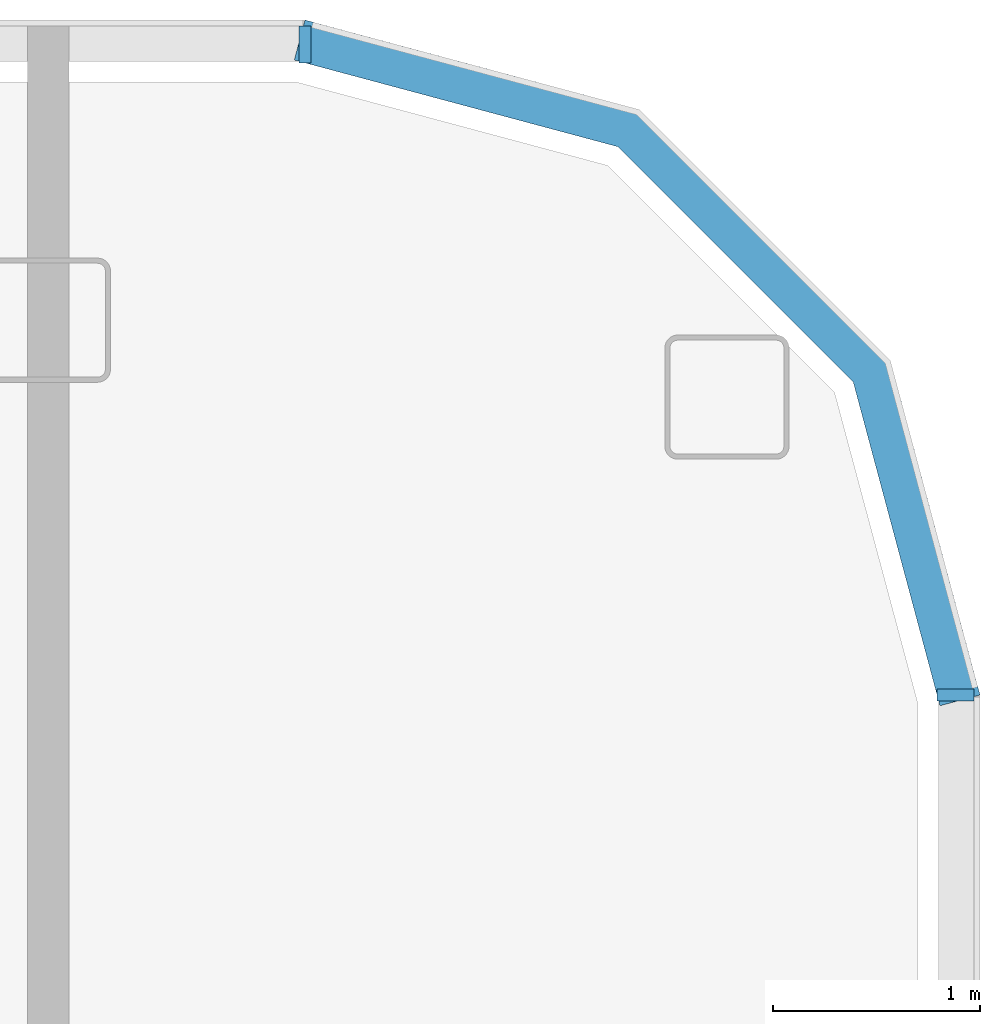
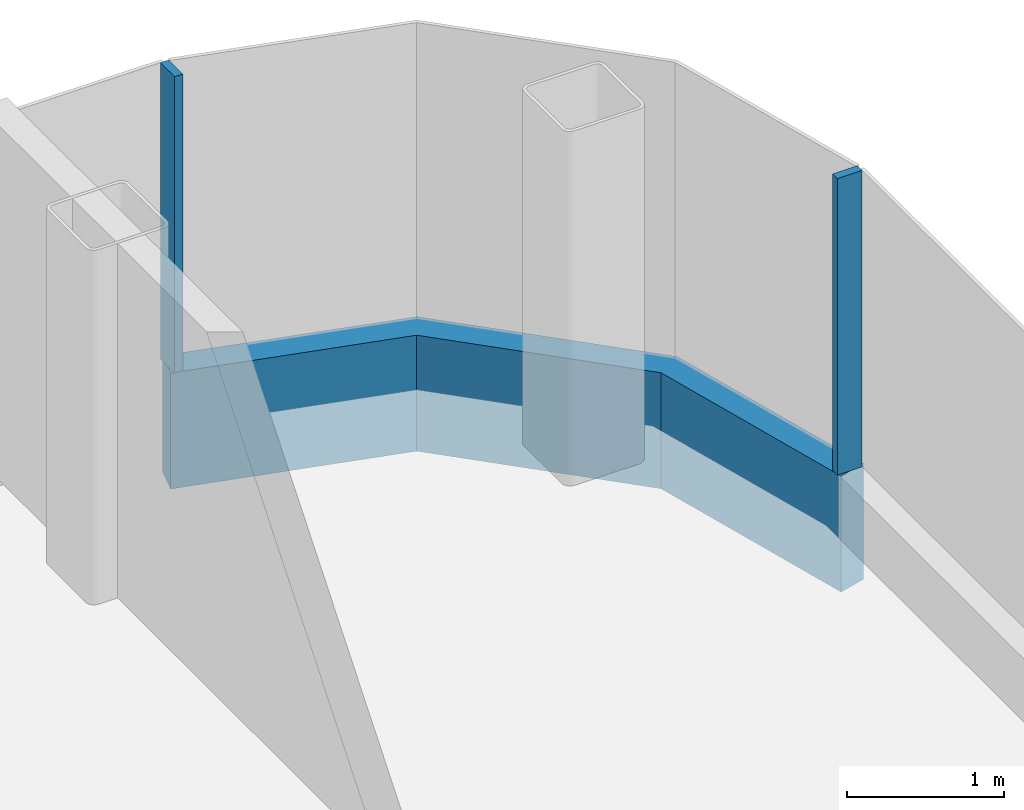
# One storey, part 11 of 26: 3 members, 3 elements without a shape of their own.
"""IFC4 building model written with IfcOpenShell, lengths in metres."""

from ifc_helpers import new_model, si_unit, direction, frame, origin, origin_2d, place, context, subcontext, project, spatial, polyline, rectangle, outline, extrude, material, layer, layer_set, material_profile, profile_set, type_object, element, aggregate, save


model = new_model("IFC4")

# Units and contexts
model_context = context("Model", 3, precision=1e-05, world=origin(), true_north=direction((0.0, 1.0)))
body_context = subcontext(model_context, "Body", "Model", "MODEL_VIEW")
ifc_project = project(units=[si_unit("LENGTHUNIT", "METRE"), si_unit("AREAUNIT", "SQUARE_METRE"), si_unit("VOLUMEUNIT", "CUBIC_METRE"), si_unit("PLANEANGLEUNIT", "RADIAN"), si_unit("MASSUNIT", "GRAM", prefix="KILO")], contexts=[model_context])

# Site, building, storey
site_placement = place(None, origin())
site = spatial("IfcSite", under=ifc_project, at=site_placement, CompositionType="ELEMENT")
building_placement = place(site_placement, origin())
building = spatial("IfcBuilding", under=site, at=building_placement, Name="Hakoniwa Tower and Hamabe Station Hall", CompositionType="ELEMENT")
storey_placement = place(building_placement, frame((0.0, 0.0, 189.800048828125)))
storey = spatial("IfcBuildingStorey", under=building, at=storey_placement, Name="L53", CompositionType="ELEMENT", Elevation=189.800048828125)

# Curtain wall, member
ifc_material_1 = material(Name="Dark low-e laminated glass", Category="glass")
ifc_layer = layer(ifc_material_1, 0.199951171875)
ifc_layer_set = layer_set([ifc_layer], Name="CW-1 UNITISED GUEST")
curtain_wall_type = type_object("IfcCurtainWallType", Name="CW-1 UNITISED GUEST", PredefinedType="NOTDEFINED", material=ifc_layer_set)
curtain_wall_1_placement = place(storey_placement, origin())
curtain_wall_1 = element("IfcCurtainWall", 1, at=curtain_wall_1_placement, inside=storey, type_object=curtain_wall_type, Name="CW-1 curtain wall", PredefinedType="NOTDEFINED")
ifc_material_2 = material(Name="Aluminium 6063-T5 black anodised", Category="aluminium")
ifc_material_profile_1 = material_profile(ifc_material_2, rectangle(XDim=0.199951171875, YDim=0.89990234375, at=origin_2d()), Name="CW SLAB-EDGE BAND 900X200")
ifc_profile_set_1 = profile_set([ifc_material_profile_1], Name="Aluminium 6063-T5 black anodised")
member_type_1 = type_object("IfcMemberType", Name="CW SLAB-EDGE BAND 900X200", PredefinedType="USERDEFINED", material=ifc_profile_set_1)
member_1_placement = place(storey_placement, frame((0.0, 0.0, -0.550048828125)))
member_1 = element("IfcMember", 2, at=member_1_placement, type_object=member_type_1, Name="CW-1 transom", ObjectType="TRANSOM", PredefinedType="USERDEFINED", context=body_context, shape_type="SweptSolid", body=[
    extrude(outline(polyline([(38.10009765625, 17.28955078125), (37.6669921875, 18.9052734375), (36.455322265625, 20.116943359375), (34.839599609375, 20.550048828125), (34.787841796875, 20.35693359375), (36.351806640625, 19.937744140625), (37.48779296875, 18.8017578125), (37.90673828125, 17.23779296875), (38.10009765625, 17.28955078125)])), origin(), (0.0, 0.0, 1.0), 0.89990234375),
])
aggregate(curtain_wall_1, [member_1])

curtain_wall_2_placement = place(storey_placement, origin())
curtain_wall_2 = element("IfcCurtainWall", 3, at=curtain_wall_2_placement, inside=storey, type_object=curtain_wall_type, Name="CW-1 curtain wall", PredefinedType="NOTDEFINED")
ifc_material_3 = material(Name="Aluminium 6063-T5 black anodised", Category="aluminium")
ifc_material_profile_2 = material_profile(ifc_material_3, rectangle(XDim=0.06005859375, YDim=0.179931640625, at=origin_2d()), Name="CW-1 MULLION 60X180")
ifc_profile_set_2 = profile_set([ifc_material_profile_2], Name="Aluminium 6063-T5 black anodised")
member_type_2 = type_object("IfcMemberType", Name="CW-1 MULLION 60X180", PredefinedType="MULLION", material=ifc_profile_set_2)
member_2_placement = place(storey_placement, frame((37.98193359375, 17.28955078125, 0.349853515625), z_axis=(0.0, 0.0, 1.0), x_axis=(0.0, 1.0, 0.0)))
member_2 = element("IfcMember", 4, at=member_2_placement, type_object=member_type_2, Name="CW-1 mullion", PredefinedType="MULLION", context=body_context, shape_type="SweptSolid", body=[
    extrude(rectangle(XDim=0.06005859375, YDim=0.179931640625, at=origin_2d()), origin(), (0.0, 0.0, 1.0), 2.300048828125),
])
aggregate(curtain_wall_2, [member_2])

curtain_wall_3_placement = place(storey_placement, origin())
curtain_wall_3 = element("IfcCurtainWall", 5, at=curtain_wall_3_placement, inside=storey, type_object=curtain_wall_type, Name="CW-1 curtain wall", PredefinedType="NOTDEFINED")
member_3_placement = place(storey_placement, frame((34.839599609375, 20.431884765625, 0.349853515625), z_axis=(0.0, 0.0, 1.0), x_axis=(-1.0, 0.0, 0.0)))
member_3 = element("IfcMember", 6, at=member_3_placement, type_object=member_type_2, Name="CW-1 mullion", PredefinedType="MULLION", context=body_context, shape_type="SweptSolid", body=[
    extrude(rectangle(XDim=0.06005859375, YDim=0.179931640625, at=origin_2d()), origin(), (0.0, 0.0, 1.0), 2.300048828125),
])
aggregate(curtain_wall_3, [member_3])

save(model, "model.ifc")
